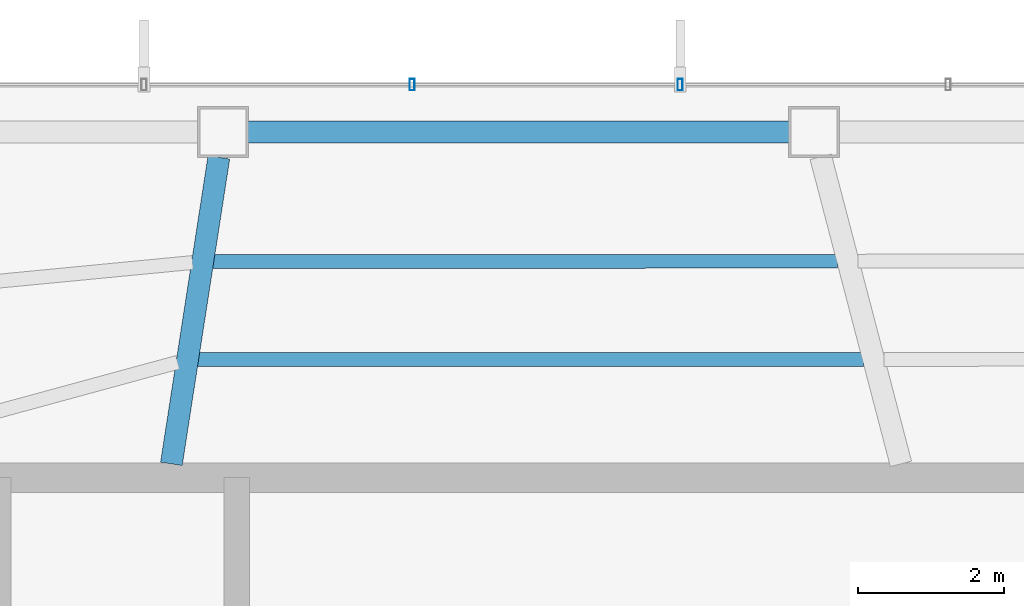
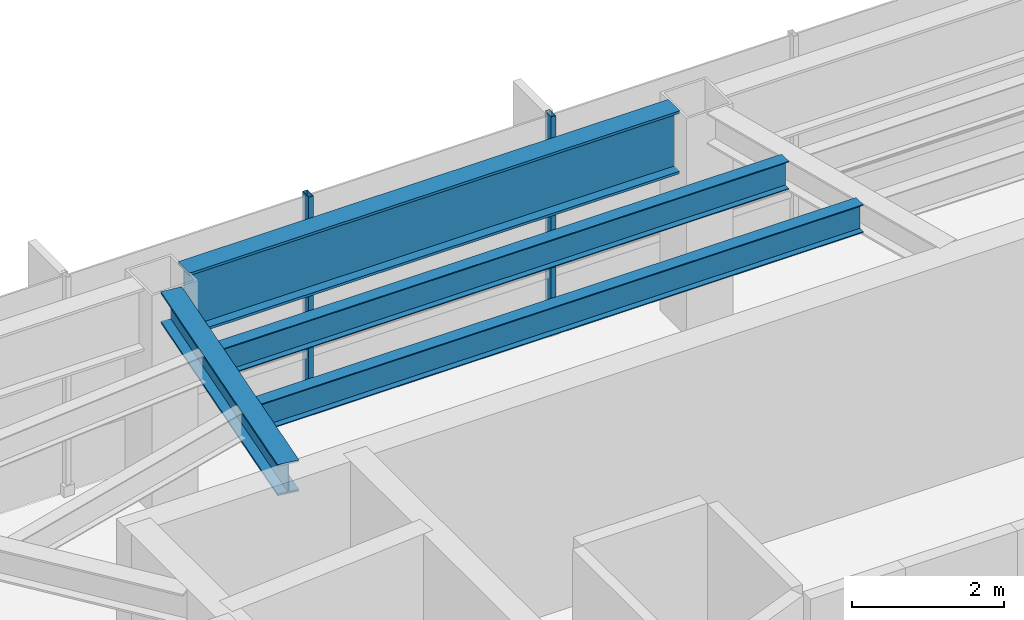
# One storey, part 14 of 28: 4 beams, 2 members, 1 element without a shape of its own.
"""IFC4 building model written with IfcOpenShell, lengths in metres."""

from ifc_helpers import new_model, si_unit, direction, frame, origin, origin_2d, place, context, subcontext, project, spatial, hollow_rectangle, i_section, extrude, material, layer, layer_set, material_profile, profile_set, type_object, element, aggregate, save


model = new_model("IFC4")

# Units and contexts
model_context = context("Model", 3, precision=1e-05, world=origin(), true_north=direction((0.0, 1.0)))
body_context = subcontext(model_context, "Body", "Model", "MODEL_VIEW")
ifc_project = project(units=[si_unit("LENGTHUNIT", "METRE"), si_unit("AREAUNIT", "SQUARE_METRE"), si_unit("VOLUMEUNIT", "CUBIC_METRE"), si_unit("PLANEANGLEUNIT", "RADIAN"), si_unit("MASSUNIT", "GRAM", prefix="KILO")], contexts=[model_context])

# Site, building, storey
site_placement = place(None, origin())
site = spatial("IfcSite", under=ifc_project, at=site_placement, CompositionType="ELEMENT")
building_placement = place(site_placement, origin())
building = spatial("IfcBuilding", under=site, at=building_placement, Name="Zarrinselat Tower", CompositionType="ELEMENT")
storey_placement = place(building_placement, frame((0.0, 0.0, 168.300048828125)))
storey = spatial("IfcBuildingStorey", under=building, at=storey_placement, Name="L41", CompositionType="ELEMENT", Elevation=168.300048828125)

# Beams
ifc_material_1 = material(Name="Steel S355J2", Category="steel")
ifc_material_profile_1 = material_profile(ifc_material_1, i_section(OverallWidth=0.300048828125, OverallDepth=0.5, WebThickness=0.014404296875, FlangeThickness=0.028076171875, at=origin_2d()), Name="HEB 500")
ifc_profile_set_1 = profile_set([ifc_material_profile_1], Name="Steel S355J2")
beam_type_1 = type_object("IfcBeamType", Name="BM-HEB500", PredefinedType="BEAM", material=ifc_profile_set_1)
beam_1_placement = place(storey_placement, frame((31.0, 43.639892578125, 3.25), z_axis=(0.153101414755, 0.988210482033, 0.0), x_axis=(-0.988210482033, 0.153101414755, 0.0)))
element("IfcBeam", 1, at=beam_1_placement, inside=storey, type_object=beam_type_1, Name="L41 Radial Primary Girder RG04", PredefinedType="BEAM", context=body_context, shape_type="SweptSolid", body=[
    extrude(i_section(OverallWidth=0.300048828125, OverallDepth=0.5, WebThickness=0.014404296875, FlangeThickness=0.028076171875, at=origin_2d()), origin(), (0.0, 0.0, 1.0), 4.251220703125),
])
ifc_material_2 = material(Name="Steel S460M", Category="steel")
ifc_material_profile_2 = material_profile(ifc_material_2, i_section(OverallWidth=0.302001953125, OverallDepth=1.008056640625, WebThickness=0.02099609375, FlangeThickness=0.0400390625, at=origin_2d()), Name="HEM 1000")
ifc_profile_set_2 = profile_set([ifc_material_profile_2], Name="Steel S460M")
beam_type_2 = type_object("IfcBeamType", Name="BM-HEM1000", PredefinedType="BEAM", material=ifc_profile_set_2)
beam_2_placement = place(storey_placement, frame((32.042724609375, 48.18896484375, 2.995849609375), z_axis=(1.0, 0.0, 0.0), x_axis=(0.0, 1.0, 0.0)))
element("IfcBeam", 2, at=beam_2_placement, inside=storey, type_object=beam_type_2, Name="L41 Perimeter Spandrel Girder SP03", PredefinedType="BEAM", context=body_context, shape_type="SweptSolid", body=[
    extrude(i_section(OverallWidth=0.302001953125, OverallDepth=1.008056640625, WebThickness=0.02099609375, FlangeThickness=0.0400390625, at=origin_2d()), origin(), (0.0, 0.0, 1.0), 7.430419921875),
])
ifc_material_3 = material(Name="Steel S355J2", Category="steel")
ifc_material_profile_3 = material_profile(ifc_material_3, i_section(OverallWidth=0.18994140625, OverallDepth=0.449951171875, WebThickness=0.009521484375, FlangeThickness=0.0146484375, at=origin_2d()), Name="IPE 450")
ifc_profile_set_3 = profile_set([ifc_material_profile_3], Name="Steel S355J2")
beam_type_3 = type_object("IfcBeamType", Name="BM-IPE450", PredefinedType="JOIST", material=ifc_profile_set_3)
beam_3_placement = place(storey_placement, frame((31.569580078125, 46.41259765625, 3.27490234375), z_axis=(0.999999837479, 0.000570125335, 0.0), x_axis=(-0.000570125335, 0.999999837479, 0.0)))
element("IfcBeam", 3, at=beam_3_placement, inside=storey, type_object=beam_type_3, Name="L41 Composite Floor Joist 8-1", PredefinedType="JOIST", context=body_context, shape_type="SweptSolid", body=[
    extrude(i_section(OverallWidth=0.18994140625, OverallDepth=0.449951171875, WebThickness=0.009521484375, FlangeThickness=0.0146484375, at=origin_2d()), origin(), (0.0, 0.0, 1.0), 8.564453125),
])
beam_4_placement = place(storey_placement, frame((31.361328125, 45.068359375, 3.27490234375), z_axis=(0.999999964206, 0.000267558519, 0.0), x_axis=(-0.000267558519, 0.999999964206, 0.0)))
element("IfcBeam", 4, at=beam_4_placement, inside=storey, type_object=beam_type_3, Name="L41 Composite Floor Joist 8-2", PredefinedType="JOIST", context=body_context, shape_type="SweptSolid", body=[
    extrude(i_section(OverallWidth=0.18994140625, OverallDepth=0.449951171875, WebThickness=0.009521484375, FlangeThickness=0.0146484375, at=origin_2d()), origin(), (0.0, 0.0, 1.0), 9.124755859375),
])

# Curtain wall, members
ifc_material_4 = material(Name="Extruded Aluminium Alloy EN AW-6063 T6", Category="aluminium")
ifc_layer = layer(ifc_material_4, 0.175048828125)
ifc_layer_set = layer_set([ifc_layer], Name="Extruded Aluminium Alloy EN AW-6063 T6")
curtain_wall_type = type_object("IfcCurtainWallType", Name="CWS-HTL", PredefinedType="NOTDEFINED", material=ifc_layer_set)
curtain_wall_placement = place(storey_placement, origin())
curtain_wall = element("IfcCurtainWall", 5, at=curtain_wall_placement, inside=storey, type_object=curtain_wall_type, Name="L41 Unitised Curtain Wall CW-L41-E01", PredefinedType="NOTDEFINED")
ifc_material_5 = material(Name="Extruded Aluminium Alloy EN AW-6063 T6", Category="aluminium")
ifc_material_profile_4 = material_profile(ifc_material_5, hollow_rectangle(XDim=0.070068359375, YDim=0.159912109375, WallThickness=0.00390625, at=origin_2d()), Name="RHS 160x70x4")
ifc_profile_set_4 = profile_set([ifc_material_profile_4], Name="Extruded Aluminium Alloy EN AW-6063 T6")
member_type = type_object("IfcMemberType", Name="MEM-CW-MUL2", PredefinedType="MULLION", material=ifc_profile_set_4)
member_1_placement = place(storey_placement, frame((37.973876953125, 48.8388671875, 0.0), z_axis=(0.0, 0.0, 1.0), x_axis=(-1.0, 0.0, 0.0)))
member_1 = element("IfcMember", 6, at=member_1_placement, type_object=member_type, Name="CW-L41-E01 Mullion 7", PredefinedType="MULLION", context=body_context, shape_type="SweptSolid", body=[
    extrude(hollow_rectangle(XDim=0.070068359375, YDim=0.159912109375, WallThickness=0.00390625, at=origin_2d()), origin(), (0.0, 0.0, 1.0), 3.5),
])
member_2_placement = place(storey_placement, frame((34.29931640625, 48.8388671875, 0.0), z_axis=(0.0, 0.0, 1.0), x_axis=(-1.0, 0.0, 0.0)))
member_2 = element("IfcMember", 7, at=member_2_placement, type_object=member_type, Name="CW-L41-E01 Mullion 8", PredefinedType="MULLION", context=body_context, shape_type="SweptSolid", body=[
    extrude(hollow_rectangle(XDim=0.070068359375, YDim=0.159912109375, WallThickness=0.00390625, at=origin_2d()), origin(), (0.0, 0.0, 1.0), 3.5),
])
aggregate(curtain_wall, [member_1, member_2])

save(model, "model.ifc")
